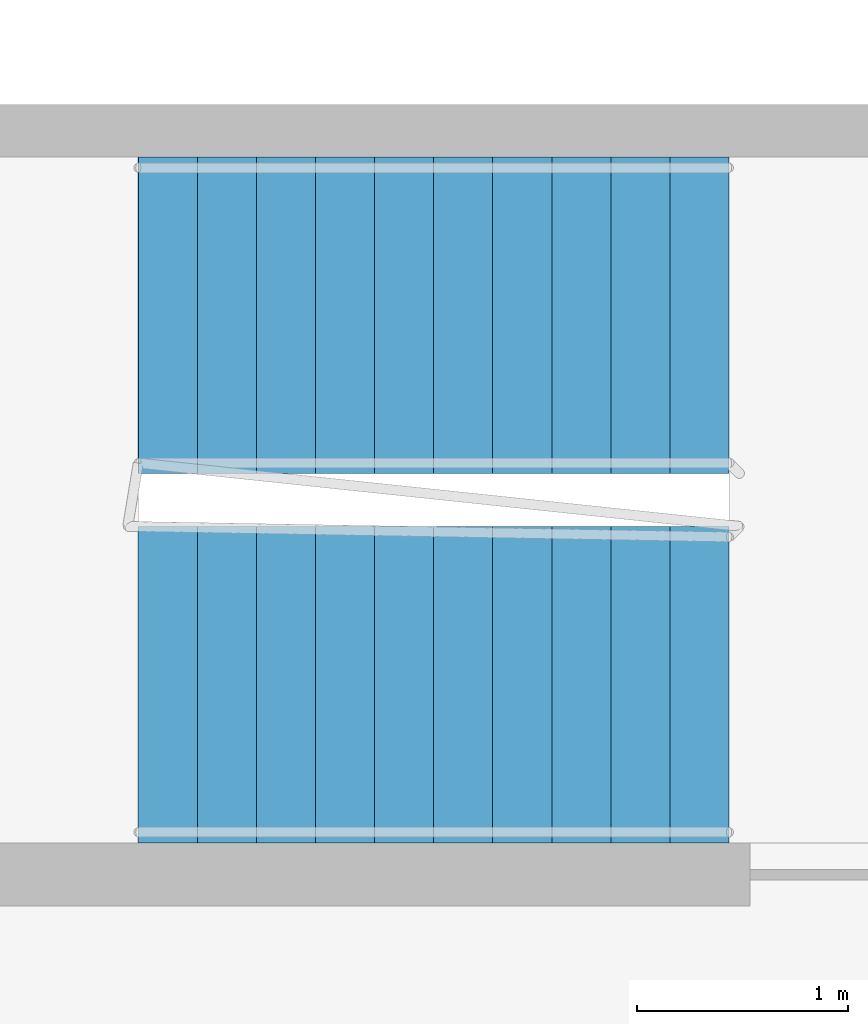
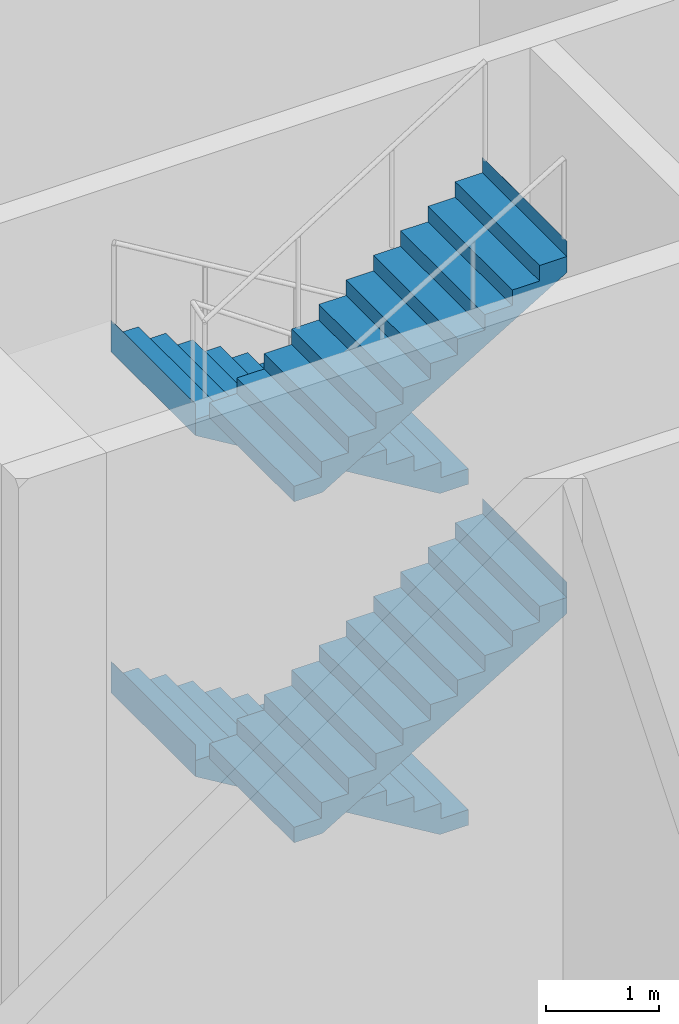
# One storey, part 17 of 25: 4 stair flights, 1 element without a shape of its own.
"""IFC4 building model written with IfcOpenShell, lengths in metres."""

from ifc_helpers import new_model, si_unit, direction, frame, origin, place, context, subcontext, project, spatial, faceted_brep, material, type_object, element, aggregate, save


model = new_model("IFC4")

# Units and contexts
model_context = context("Model", 3, precision=1e-05, world=origin(), true_north=direction((0.0, 1.0)))
body_context = subcontext(model_context, "Body", "Model", "MODEL_VIEW")
ifc_project = project(units=[si_unit("LENGTHUNIT", "METRE"), si_unit("AREAUNIT", "SQUARE_METRE"), si_unit("VOLUMEUNIT", "CUBIC_METRE"), si_unit("PLANEANGLEUNIT", "RADIAN"), si_unit("MASSUNIT", "GRAM", prefix="KILO")], contexts=[model_context])

# Site, building, storey
site_placement = place(None, origin())
site = spatial("IfcSite", under=ifc_project, at=site_placement, CompositionType="ELEMENT")
building_placement = place(site_placement, origin())
building = spatial("IfcBuilding", under=site, at=building_placement, Name="Kajstack Hotel Tower", CompositionType="ELEMENT")
storey_placement = place(building_placement, frame((0.0, 0.0, 155.0)))
storey = spatial("IfcBuildingStorey", under=building, at=storey_placement, Name="L36", CompositionType="ELEMENT", Elevation=155.0)

# Stair, stair flights
ifc_material = material(Name="Concrete C40/50", Category="concrete")
stair_type = type_object("IfcStairType", Name="Exit stair 1500", PredefinedType="HALF_TURN_STAIR", material=ifc_material)
stair_placement = place(storey_placement, origin())
stair = element("IfcStair", 1, at=stair_placement, inside=storey, type_object=stair_type, Name="L36 stair W3", PredefinedType="HALF_TURN_STAIR")
stair_flight_type = type_object("IfcStairFlightType", Name="Exit stair flight 1500", PredefinedType="STRAIGHT", material=ifc_material)
stair_flight_1_placement = place(storey_placement, frame((-25.699951171875, -12.699951171875, 0.0), z_axis=(0.0, 0.0, 1.0), x_axis=(-1.0, 0.0, 0.0)))
stair_flight_1 = element("IfcStairFlight", 2, at=stair_flight_1_placement, type_object=stair_flight_type, Name="W3 flight 1", NumberOfRisers=11, NumberOfTreads=10, PredefinedType="STRAIGHT", RiserHeight=0.168181818, TreadLength=0.28, context=body_context, shape_type="Brep", body=[
    faceted_brep([(0.291748046875, -0.75, 0.0), (2.800537109375, -0.75, 1.5068359375), (2.800537109375, -0.75, 1.85009765625), (2.800048828125, -0.75, 1.85009765625), (2.800048828125, -0.75, 1.681884765625), (2.52001953125, -0.75, 1.681884765625), (2.52001953125, -0.75, 1.513671875), (2.239990234375, -0.75, 1.513671875), (2.239990234375, -0.75, 1.345458984375), (1.9599609375, -0.75, 1.345458984375), (1.9599609375, -0.75, 1.17724609375), (1.679931640625, -0.75, 1.17724609375), (1.679931640625, -0.75, 1.009033203125), (1.39990234375, -0.75, 1.009033203125), (1.39990234375, -0.75, 0.8408203125), (1.1201171875, -0.75, 0.8408203125), (1.1201171875, -0.75, 0.672607421875), (0.840087890625, -0.75, 0.672607421875), (0.840087890625, -0.75, 0.504638671875), (0.56005859375, -0.75, 0.504638671875), (0.56005859375, -0.75, 0.33642578125), (0.280029296875, -0.75, 0.33642578125), (0.280029296875, -0.75, 0.168212890625), (-0.00048828125, -0.75, 0.168212890625), (-0.00048828125, -0.75, 0.0), (-0.00048828125, 0.75, 0.0), (-0.00048828125, 0.75, 0.168212890625), (0.280029296875, 0.75, 0.168212890625), (0.280029296875, 0.75, 0.33642578125), (0.56005859375, 0.75, 0.33642578125), (0.56005859375, 0.75, 0.504638671875), (0.840087890625, 0.75, 0.504638671875), (0.840087890625, 0.75, 0.672607421875), (1.1201171875, 0.75, 0.672607421875), (1.1201171875, 0.75, 0.8408203125), (1.39990234375, 0.75, 0.8408203125), (1.39990234375, 0.75, 1.009033203125), (1.679931640625, 0.75, 1.009033203125), (1.679931640625, 0.75, 1.17724609375), (1.9599609375, 0.75, 1.17724609375), (1.9599609375, 0.75, 1.345458984375), (2.239990234375, 0.75, 1.345458984375), (2.239990234375, 0.75, 1.513671875), (2.52001953125, 0.75, 1.513671875), (2.52001953125, 0.75, 1.681884765625), (2.800048828125, 0.75, 1.681884765625), (2.800048828125, 0.75, 1.85009765625), (2.800537109375, 0.75, 1.85009765625), (2.800537109375, 0.75, 1.5068359375), (0.291748046875, 0.75, 0.0), (-0.00048828125, -0.375, 0.168212890625), (-0.00048828125, 0.0, 0.168212890625), (-0.00048828125, 0.375, 0.168212890625), (-0.00048828125, 0.375, 0.0), (-0.00048828125, 0.0, 0.0), (-0.00048828125, -0.375, 0.0), (0.280029296875, -0.375, 0.168212890625), (0.280029296875, 0.0, 0.168212890625), (0.280029296875, 0.375, 0.168212890625), (0.280029296875, -0.375, 0.33642578125), (0.280029296875, 0.0, 0.33642578125), (0.280029296875, 0.375, 0.33642578125), (0.56005859375, -0.375, 0.33642578125), (0.56005859375, 0.0, 0.33642578125), (0.56005859375, 0.375, 0.33642578125), (0.56005859375, -0.375, 0.504638671875), (0.56005859375, 0.0, 0.504638671875), (0.56005859375, 0.375, 0.504638671875), (0.840087890625, -0.375, 0.504638671875), (0.840087890625, 0.0, 0.504638671875), (0.840087890625, 0.375, 0.504638671875), (0.840087890625, -0.375, 0.672607421875), (0.840087890625, 0.0, 0.672607421875), (0.840087890625, 0.375, 0.672607421875), (1.1201171875, -0.375, 0.672607421875), (1.1201171875, 0.0, 0.672607421875), (1.1201171875, 0.375, 0.672607421875), (1.1201171875, -0.375, 0.8408203125), (1.1201171875, 0.0, 0.8408203125), (1.1201171875, 0.375, 0.8408203125), (1.39990234375, -0.375, 0.8408203125), (1.39990234375, 0.0, 0.8408203125), (1.39990234375, 0.375, 0.8408203125), (1.39990234375, -0.375, 1.009033203125), (1.39990234375, 0.0, 1.009033203125), (1.39990234375, 0.375, 1.009033203125), (1.679931640625, -0.375, 1.009033203125), (1.679931640625, 0.0, 1.009033203125), (1.679931640625, 0.375, 1.009033203125), (1.679931640625, -0.375, 1.17724609375), (1.679931640625, 0.0, 1.17724609375), (1.679931640625, 0.375, 1.17724609375), (1.9599609375, -0.375, 1.17724609375), (1.9599609375, 0.0, 1.17724609375), (1.9599609375, 0.375, 1.17724609375), (1.9599609375, -0.375, 1.345458984375), (1.9599609375, 0.0, 1.345458984375), (1.9599609375, 0.375, 1.345458984375), (2.239990234375, -0.375, 1.345458984375), (2.239990234375, 0.0, 1.345458984375), (2.239990234375, 0.375, 1.345458984375), (2.239990234375, -0.375, 1.513671875), (2.239990234375, 0.0, 1.513671875), (2.239990234375, 0.375, 1.513671875), (2.52001953125, -0.375, 1.513671875), (2.52001953125, 0.0, 1.513671875), (2.52001953125, 0.375, 1.513671875), (2.52001953125, -0.375, 1.681884765625), (2.52001953125, 0.0, 1.681884765625), (2.52001953125, 0.375, 1.681884765625), (2.800048828125, -0.375, 1.681884765625), (2.800048828125, 0.0, 1.681884765625), (2.800048828125, 0.375, 1.681884765625), (2.800048828125, -0.375, 1.85009765625), (2.800048828125, 0.0, 1.85009765625), (2.800048828125, 0.375, 1.85009765625), (2.800537109375, -0.375, 1.85009765625), (2.800537109375, 0.0, 1.85009765625), (2.800537109375, 0.375, 1.85009765625), (2.800537109375, -0.375, 1.5068359375), (2.800537109375, 0.0, 1.5068359375), (2.800537109375, 0.375, 1.5068359375), (0.291748046875, -0.375, 0.0), (0.291748046875, 0.0, 0.0), (0.291748046875, 0.375, 0.0)], [[[0, 1, 2, 3, 4, 5, 6, 7, 8, 9, 10, 11, 12, 13, 14, 15, 16, 17, 18, 19, 20, 21, 22, 23, 24]], [[25, 26, 27, 28, 29, 30, 31, 32, 33, 34, 35, 36, 37, 38, 39, 40, 41, 42, 43, 44, 45, 46, 47, 48, 49]], [[23, 50, 51, 52, 26, 25, 53, 54, 55, 24]], [[22, 56, 57, 58, 27, 26, 52, 51, 50, 23]], [[21, 59, 60, 61, 28, 27, 58, 57, 56, 22]], [[20, 62, 63, 64, 29, 28, 61, 60, 59, 21]], [[19, 65, 66, 67, 30, 29, 64, 63, 62, 20]], [[18, 68, 69, 70, 31, 30, 67, 66, 65, 19]], [[17, 71, 72, 73, 32, 31, 70, 69, 68, 18]], [[16, 74, 75, 76, 33, 32, 73, 72, 71, 17]], [[15, 77, 78, 79, 34, 33, 76, 75, 74, 16]], [[14, 80, 81, 82, 35, 34, 79, 78, 77, 15]], [[13, 83, 84, 85, 36, 35, 82, 81, 80, 14]], [[12, 86, 87, 88, 37, 36, 85, 84, 83, 13]], [[11, 89, 90, 91, 38, 37, 88, 87, 86, 12]], [[10, 92, 93, 94, 39, 38, 91, 90, 89, 11]], [[9, 95, 96, 97, 40, 39, 94, 93, 92, 10]], [[8, 98, 99, 100, 41, 40, 97, 96, 95, 9]], [[7, 101, 102, 103, 42, 41, 100, 99, 98, 8]], [[6, 104, 105, 106, 43, 42, 103, 102, 101, 7]], [[5, 107, 108, 109, 44, 43, 106, 105, 104, 6]], [[4, 110, 111, 112, 45, 44, 109, 108, 107, 5]], [[3, 113, 114, 115, 46, 45, 112, 111, 110, 4]], [[2, 116, 117, 118, 47, 46, 115, 114, 113, 3]], [[1, 119, 120, 121, 48, 47, 118, 117, 116, 2]], [[0, 122, 123, 124, 49, 48, 121, 120, 119, 1]], [[24, 55, 54, 53, 25, 49, 124, 123, 122, 0]]]),
])
stair_flight_2_placement = place(storey_placement, frame((-28.5, -14.449951171875, 1.85009765625), z_axis=(0.0, 0.0, 1.0), x_axis=(1.0, 0.0, 0.0)))
stair_flight_2 = element("IfcStairFlight", 3, at=stair_flight_2_placement, type_object=stair_flight_type, Name="W3 flight 2", NumberOfRisers=11, NumberOfTreads=10, PredefinedType="STRAIGHT", RiserHeight=0.168181818, TreadLength=0.28, context=body_context, shape_type="Brep", body=[
    faceted_brep([(0.291748046875, -0.75, 0.0), (2.800537109375, -0.75, 1.5068359375), (2.800537109375, -0.75, 1.85009765625), (2.800048828125, -0.75, 1.85009765625), (2.800048828125, -0.75, 1.681884765625), (2.52001953125, -0.75, 1.681884765625), (2.52001953125, -0.75, 1.513671875), (2.239990234375, -0.75, 1.513671875), (2.239990234375, -0.75, 1.345458984375), (1.9599609375, -0.75, 1.345458984375), (1.9599609375, -0.75, 1.17724609375), (1.679931640625, -0.75, 1.17724609375), (1.679931640625, -0.75, 1.009033203125), (1.39990234375, -0.75, 1.009033203125), (1.39990234375, -0.75, 0.8408203125), (1.1201171875, -0.75, 0.8408203125), (1.1201171875, -0.75, 0.672607421875), (0.840087890625, -0.75, 0.672607421875), (0.840087890625, -0.75, 0.504638671875), (0.56005859375, -0.75, 0.504638671875), (0.56005859375, -0.75, 0.33642578125), (0.280029296875, -0.75, 0.33642578125), (0.280029296875, -0.75, 0.168212890625), (-0.00048828125, -0.75, 0.168212890625), (-0.00048828125, -0.75, 0.0), (-0.00048828125, 0.75, 0.0), (-0.00048828125, 0.75, 0.168212890625), (0.280029296875, 0.75, 0.168212890625), (0.280029296875, 0.75, 0.33642578125), (0.56005859375, 0.75, 0.33642578125), (0.56005859375, 0.75, 0.504638671875), (0.840087890625, 0.75, 0.504638671875), (0.840087890625, 0.75, 0.672607421875), (1.1201171875, 0.75, 0.672607421875), (1.1201171875, 0.75, 0.8408203125), (1.39990234375, 0.75, 0.8408203125), (1.39990234375, 0.75, 1.009033203125), (1.679931640625, 0.75, 1.009033203125), (1.679931640625, 0.75, 1.17724609375), (1.9599609375, 0.75, 1.17724609375), (1.9599609375, 0.75, 1.345458984375), (2.239990234375, 0.75, 1.345458984375), (2.239990234375, 0.75, 1.513671875), (2.52001953125, 0.75, 1.513671875), (2.52001953125, 0.75, 1.681884765625), (2.800048828125, 0.75, 1.681884765625), (2.800048828125, 0.75, 1.85009765625), (2.800537109375, 0.75, 1.85009765625), (2.800537109375, 0.75, 1.5068359375), (0.291748046875, 0.75, 0.0), (-0.00048828125, -0.375, 0.168212890625), (-0.00048828125, 0.0, 0.168212890625), (-0.00048828125, 0.375, 0.168212890625), (-0.00048828125, 0.375, 0.0), (-0.00048828125, 0.0, 0.0), (-0.00048828125, -0.375, 0.0), (0.280029296875, -0.375, 0.168212890625), (0.280029296875, 0.0, 0.168212890625), (0.280029296875, 0.375, 0.168212890625), (0.280029296875, -0.375, 0.33642578125), (0.280029296875, 0.0, 0.33642578125), (0.280029296875, 0.375, 0.33642578125), (0.56005859375, -0.375, 0.33642578125), (0.56005859375, 0.0, 0.33642578125), (0.56005859375, 0.375, 0.33642578125), (0.56005859375, -0.375, 0.504638671875), (0.56005859375, 0.0, 0.504638671875), (0.56005859375, 0.375, 0.504638671875), (0.840087890625, -0.375, 0.504638671875), (0.840087890625, 0.0, 0.504638671875), (0.840087890625, 0.375, 0.504638671875), (0.840087890625, -0.375, 0.672607421875), (0.840087890625, 0.0, 0.672607421875), (0.840087890625, 0.375, 0.672607421875), (1.1201171875, -0.375, 0.672607421875), (1.1201171875, 0.0, 0.672607421875), (1.1201171875, 0.375, 0.672607421875), (1.1201171875, -0.375, 0.8408203125), (1.1201171875, 0.0, 0.8408203125), (1.1201171875, 0.375, 0.8408203125), (1.39990234375, -0.375, 0.8408203125), (1.39990234375, 0.0, 0.8408203125), (1.39990234375, 0.375, 0.8408203125), (1.39990234375, -0.375, 1.009033203125), (1.39990234375, 0.0, 1.009033203125), (1.39990234375, 0.375, 1.009033203125), (1.679931640625, -0.375, 1.009033203125), (1.679931640625, 0.0, 1.009033203125), (1.679931640625, 0.375, 1.009033203125), (1.679931640625, -0.375, 1.17724609375), (1.679931640625, 0.0, 1.17724609375), (1.679931640625, 0.375, 1.17724609375), (1.9599609375, -0.375, 1.17724609375), (1.9599609375, 0.0, 1.17724609375), (1.9599609375, 0.375, 1.17724609375), (1.9599609375, -0.375, 1.345458984375), (1.9599609375, 0.0, 1.345458984375), (1.9599609375, 0.375, 1.345458984375), (2.239990234375, -0.375, 1.345458984375), (2.239990234375, 0.0, 1.345458984375), (2.239990234375, 0.375, 1.345458984375), (2.239990234375, -0.375, 1.513671875), (2.239990234375, 0.0, 1.513671875), (2.239990234375, 0.375, 1.513671875), (2.52001953125, -0.375, 1.513671875), (2.52001953125, 0.0, 1.513671875), (2.52001953125, 0.375, 1.513671875), (2.52001953125, -0.375, 1.681884765625), (2.52001953125, 0.0, 1.681884765625), (2.52001953125, 0.375, 1.681884765625), (2.800048828125, -0.375, 1.681884765625), (2.800048828125, 0.0, 1.681884765625), (2.800048828125, 0.375, 1.681884765625), (2.800048828125, -0.375, 1.85009765625), (2.800048828125, 0.0, 1.85009765625), (2.800048828125, 0.375, 1.85009765625), (2.800537109375, -0.375, 1.85009765625), (2.800537109375, 0.0, 1.85009765625), (2.800537109375, 0.375, 1.85009765625), (2.800537109375, -0.375, 1.5068359375), (2.800537109375, 0.0, 1.5068359375), (2.800537109375, 0.375, 1.5068359375), (0.291748046875, -0.375, 0.0), (0.291748046875, 0.0, 0.0), (0.291748046875, 0.375, 0.0)], [[[0, 1, 2, 3, 4, 5, 6, 7, 8, 9, 10, 11, 12, 13, 14, 15, 16, 17, 18, 19, 20, 21, 22, 23, 24]], [[25, 26, 27, 28, 29, 30, 31, 32, 33, 34, 35, 36, 37, 38, 39, 40, 41, 42, 43, 44, 45, 46, 47, 48, 49]], [[23, 50, 51, 52, 26, 25, 53, 54, 55, 24]], [[22, 56, 57, 58, 27, 26, 52, 51, 50, 23]], [[21, 59, 60, 61, 28, 27, 58, 57, 56, 22]], [[20, 62, 63, 64, 29, 28, 61, 60, 59, 21]], [[19, 65, 66, 67, 30, 29, 64, 63, 62, 20]], [[18, 68, 69, 70, 31, 30, 67, 66, 65, 19]], [[17, 71, 72, 73, 32, 31, 70, 69, 68, 18]], [[16, 74, 75, 76, 33, 32, 73, 72, 71, 17]], [[15, 77, 78, 79, 34, 33, 76, 75, 74, 16]], [[14, 80, 81, 82, 35, 34, 79, 78, 77, 15]], [[13, 83, 84, 85, 36, 35, 82, 81, 80, 14]], [[12, 86, 87, 88, 37, 36, 85, 84, 83, 13]], [[11, 89, 90, 91, 38, 37, 88, 87, 86, 12]], [[10, 92, 93, 94, 39, 38, 91, 90, 89, 11]], [[9, 95, 96, 97, 40, 39, 94, 93, 92, 10]], [[8, 98, 99, 100, 41, 40, 97, 96, 95, 9]], [[7, 101, 102, 103, 42, 41, 100, 99, 98, 8]], [[6, 104, 105, 106, 43, 42, 103, 102, 101, 7]], [[5, 107, 108, 109, 44, 43, 106, 105, 104, 6]], [[4, 110, 111, 112, 45, 44, 109, 108, 107, 5]], [[3, 113, 114, 115, 46, 45, 112, 111, 110, 4]], [[2, 116, 117, 118, 47, 46, 115, 114, 113, 3]], [[1, 119, 120, 121, 48, 47, 118, 117, 116, 2]], [[0, 122, 123, 124, 49, 48, 121, 120, 119, 1]], [[24, 55, 54, 53, 25, 49, 124, 123, 122, 0]]]),
])
stair_flight_3_placement = place(storey_placement, frame((-25.699951171875, -12.699951171875, 3.699951171875), z_axis=(0.0, 0.0, 1.0), x_axis=(-1.0, 0.0, 0.0)))
stair_flight_3 = element("IfcStairFlight", 4, at=stair_flight_3_placement, type_object=stair_flight_type, Name="W3 flight 3", NumberOfRisers=11, NumberOfTreads=10, PredefinedType="STRAIGHT", RiserHeight=0.168181818, TreadLength=0.28, context=body_context, shape_type="Brep", body=[
    faceted_brep([(0.291748046875, -0.75, 0.0), (2.800537109375, -0.75, 1.5068359375), (2.800537109375, -0.75, 1.85009765625), (2.800048828125, -0.75, 1.85009765625), (2.800048828125, -0.75, 1.681884765625), (2.52001953125, -0.75, 1.681884765625), (2.52001953125, -0.75, 1.513671875), (2.239990234375, -0.75, 1.513671875), (2.239990234375, -0.75, 1.345458984375), (1.9599609375, -0.75, 1.345458984375), (1.9599609375, -0.75, 1.17724609375), (1.679931640625, -0.75, 1.17724609375), (1.679931640625, -0.75, 1.009033203125), (1.39990234375, -0.75, 1.009033203125), (1.39990234375, -0.75, 0.8408203125), (1.1201171875, -0.75, 0.8408203125), (1.1201171875, -0.75, 0.672607421875), (0.840087890625, -0.75, 0.672607421875), (0.840087890625, -0.75, 0.504638671875), (0.56005859375, -0.75, 0.504638671875), (0.56005859375, -0.75, 0.33642578125), (0.280029296875, -0.75, 0.33642578125), (0.280029296875, -0.75, 0.168212890625), (-0.00048828125, -0.75, 0.168212890625), (-0.00048828125, -0.75, 0.0), (-0.00048828125, 0.75, 0.0), (-0.00048828125, 0.75, 0.168212890625), (0.280029296875, 0.75, 0.168212890625), (0.280029296875, 0.75, 0.33642578125), (0.56005859375, 0.75, 0.33642578125), (0.56005859375, 0.75, 0.504638671875), (0.840087890625, 0.75, 0.504638671875), (0.840087890625, 0.75, 0.672607421875), (1.1201171875, 0.75, 0.672607421875), (1.1201171875, 0.75, 0.8408203125), (1.39990234375, 0.75, 0.8408203125), (1.39990234375, 0.75, 1.009033203125), (1.679931640625, 0.75, 1.009033203125), (1.679931640625, 0.75, 1.17724609375), (1.9599609375, 0.75, 1.17724609375), (1.9599609375, 0.75, 1.345458984375), (2.239990234375, 0.75, 1.345458984375), (2.239990234375, 0.75, 1.513671875), (2.52001953125, 0.75, 1.513671875), (2.52001953125, 0.75, 1.681884765625), (2.800048828125, 0.75, 1.681884765625), (2.800048828125, 0.75, 1.85009765625), (2.800537109375, 0.75, 1.85009765625), (2.800537109375, 0.75, 1.5068359375), (0.291748046875, 0.75, 0.0), (-0.00048828125, -0.375, 0.168212890625), (-0.00048828125, 0.0, 0.168212890625), (-0.00048828125, 0.375, 0.168212890625), (-0.00048828125, 0.375, 0.0), (-0.00048828125, 0.0, 0.0), (-0.00048828125, -0.375, 0.0), (0.280029296875, -0.375, 0.168212890625), (0.280029296875, 0.0, 0.168212890625), (0.280029296875, 0.375, 0.168212890625), (0.280029296875, -0.375, 0.33642578125), (0.280029296875, 0.0, 0.33642578125), (0.280029296875, 0.375, 0.33642578125), (0.56005859375, -0.375, 0.33642578125), (0.56005859375, 0.0, 0.33642578125), (0.56005859375, 0.375, 0.33642578125), (0.56005859375, -0.375, 0.504638671875), (0.56005859375, 0.0, 0.504638671875), (0.56005859375, 0.375, 0.504638671875), (0.840087890625, -0.375, 0.504638671875), (0.840087890625, 0.0, 0.504638671875), (0.840087890625, 0.375, 0.504638671875), (0.840087890625, -0.375, 0.672607421875), (0.840087890625, 0.0, 0.672607421875), (0.840087890625, 0.375, 0.672607421875), (1.1201171875, -0.375, 0.672607421875), (1.1201171875, 0.0, 0.672607421875), (1.1201171875, 0.375, 0.672607421875), (1.1201171875, -0.375, 0.8408203125), (1.1201171875, 0.0, 0.8408203125), (1.1201171875, 0.375, 0.8408203125), (1.39990234375, -0.375, 0.8408203125), (1.39990234375, 0.0, 0.8408203125), (1.39990234375, 0.375, 0.8408203125), (1.39990234375, -0.375, 1.009033203125), (1.39990234375, 0.0, 1.009033203125), (1.39990234375, 0.375, 1.009033203125), (1.679931640625, -0.375, 1.009033203125), (1.679931640625, 0.0, 1.009033203125), (1.679931640625, 0.375, 1.009033203125), (1.679931640625, -0.375, 1.17724609375), (1.679931640625, 0.0, 1.17724609375), (1.679931640625, 0.375, 1.17724609375), (1.9599609375, -0.375, 1.17724609375), (1.9599609375, 0.0, 1.17724609375), (1.9599609375, 0.375, 1.17724609375), (1.9599609375, -0.375, 1.345458984375), (1.9599609375, 0.0, 1.345458984375), (1.9599609375, 0.375, 1.345458984375), (2.239990234375, -0.375, 1.345458984375), (2.239990234375, 0.0, 1.345458984375), (2.239990234375, 0.375, 1.345458984375), (2.239990234375, -0.375, 1.513671875), (2.239990234375, 0.0, 1.513671875), (2.239990234375, 0.375, 1.513671875), (2.52001953125, -0.375, 1.513671875), (2.52001953125, 0.0, 1.513671875), (2.52001953125, 0.375, 1.513671875), (2.52001953125, -0.375, 1.681884765625), (2.52001953125, 0.0, 1.681884765625), (2.52001953125, 0.375, 1.681884765625), (2.800048828125, -0.375, 1.681884765625), (2.800048828125, 0.0, 1.681884765625), (2.800048828125, 0.375, 1.681884765625), (2.800048828125, -0.375, 1.85009765625), (2.800048828125, 0.0, 1.85009765625), (2.800048828125, 0.375, 1.85009765625), (2.800537109375, -0.375, 1.85009765625), (2.800537109375, 0.0, 1.85009765625), (2.800537109375, 0.375, 1.85009765625), (2.800537109375, -0.375, 1.5068359375), (2.800537109375, 0.0, 1.5068359375), (2.800537109375, 0.375, 1.5068359375), (0.291748046875, -0.375, 0.0), (0.291748046875, 0.0, 0.0), (0.291748046875, 0.375, 0.0)], [[[0, 1, 2, 3, 4, 5, 6, 7, 8, 9, 10, 11, 12, 13, 14, 15, 16, 17, 18, 19, 20, 21, 22, 23, 24]], [[25, 26, 27, 28, 29, 30, 31, 32, 33, 34, 35, 36, 37, 38, 39, 40, 41, 42, 43, 44, 45, 46, 47, 48, 49]], [[23, 50, 51, 52, 26, 25, 53, 54, 55, 24]], [[22, 56, 57, 58, 27, 26, 52, 51, 50, 23]], [[21, 59, 60, 61, 28, 27, 58, 57, 56, 22]], [[20, 62, 63, 64, 29, 28, 61, 60, 59, 21]], [[19, 65, 66, 67, 30, 29, 64, 63, 62, 20]], [[18, 68, 69, 70, 31, 30, 67, 66, 65, 19]], [[17, 71, 72, 73, 32, 31, 70, 69, 68, 18]], [[16, 74, 75, 76, 33, 32, 73, 72, 71, 17]], [[15, 77, 78, 79, 34, 33, 76, 75, 74, 16]], [[14, 80, 81, 82, 35, 34, 79, 78, 77, 15]], [[13, 83, 84, 85, 36, 35, 82, 81, 80, 14]], [[12, 86, 87, 88, 37, 36, 85, 84, 83, 13]], [[11, 89, 90, 91, 38, 37, 88, 87, 86, 12]], [[10, 92, 93, 94, 39, 38, 91, 90, 89, 11]], [[9, 95, 96, 97, 40, 39, 94, 93, 92, 10]], [[8, 98, 99, 100, 41, 40, 97, 96, 95, 9]], [[7, 101, 102, 103, 42, 41, 100, 99, 98, 8]], [[6, 104, 105, 106, 43, 42, 103, 102, 101, 7]], [[5, 107, 108, 109, 44, 43, 106, 105, 104, 6]], [[4, 110, 111, 112, 45, 44, 109, 108, 107, 5]], [[3, 113, 114, 115, 46, 45, 112, 111, 110, 4]], [[2, 116, 117, 118, 47, 46, 115, 114, 113, 3]], [[1, 119, 120, 121, 48, 47, 118, 117, 116, 2]], [[0, 122, 123, 124, 49, 48, 121, 120, 119, 1]], [[24, 55, 54, 53, 25, 49, 124, 123, 122, 0]]]),
])
stair_flight_4_placement = place(storey_placement, frame((-28.5, -14.449951171875, 5.550048828125), z_axis=(0.0, 0.0, 1.0), x_axis=(1.0, 0.0, 0.0)))
stair_flight_4 = element("IfcStairFlight", 5, at=stair_flight_4_placement, type_object=stair_flight_type, Name="W3 flight 4", NumberOfRisers=11, NumberOfTreads=10, PredefinedType="STRAIGHT", RiserHeight=0.168181818, TreadLength=0.28, context=body_context, shape_type="Brep", body=[
    faceted_brep([(0.291748046875, -0.75, 0.0), (2.800537109375, -0.75, 1.5068359375), (2.800537109375, -0.75, 1.85009765625), (2.800048828125, -0.75, 1.85009765625), (2.800048828125, -0.75, 1.681884765625), (2.52001953125, -0.75, 1.681884765625), (2.52001953125, -0.75, 1.513671875), (2.239990234375, -0.75, 1.513671875), (2.239990234375, -0.75, 1.345458984375), (1.9599609375, -0.75, 1.345458984375), (1.9599609375, -0.75, 1.17724609375), (1.679931640625, -0.75, 1.17724609375), (1.679931640625, -0.75, 1.009033203125), (1.39990234375, -0.75, 1.009033203125), (1.39990234375, -0.75, 0.8408203125), (1.1201171875, -0.75, 0.8408203125), (1.1201171875, -0.75, 0.672607421875), (0.840087890625, -0.75, 0.672607421875), (0.840087890625, -0.75, 0.504638671875), (0.56005859375, -0.75, 0.504638671875), (0.56005859375, -0.75, 0.33642578125), (0.280029296875, -0.75, 0.33642578125), (0.280029296875, -0.75, 0.168212890625), (-0.00048828125, -0.75, 0.168212890625), (-0.00048828125, -0.75, 0.0), (-0.00048828125, 0.75, 0.0), (-0.00048828125, 0.75, 0.168212890625), (0.280029296875, 0.75, 0.168212890625), (0.280029296875, 0.75, 0.33642578125), (0.56005859375, 0.75, 0.33642578125), (0.56005859375, 0.75, 0.504638671875), (0.840087890625, 0.75, 0.504638671875), (0.840087890625, 0.75, 0.672607421875), (1.1201171875, 0.75, 0.672607421875), (1.1201171875, 0.75, 0.8408203125), (1.39990234375, 0.75, 0.8408203125), (1.39990234375, 0.75, 1.009033203125), (1.679931640625, 0.75, 1.009033203125), (1.679931640625, 0.75, 1.17724609375), (1.9599609375, 0.75, 1.17724609375), (1.9599609375, 0.75, 1.345458984375), (2.239990234375, 0.75, 1.345458984375), (2.239990234375, 0.75, 1.513671875), (2.52001953125, 0.75, 1.513671875), (2.52001953125, 0.75, 1.681884765625), (2.800048828125, 0.75, 1.681884765625), (2.800048828125, 0.75, 1.85009765625), (2.800537109375, 0.75, 1.85009765625), (2.800537109375, 0.75, 1.5068359375), (0.291748046875, 0.75, 0.0), (-0.00048828125, -0.375, 0.168212890625), (-0.00048828125, 0.0, 0.168212890625), (-0.00048828125, 0.375, 0.168212890625), (-0.00048828125, 0.375, 0.0), (-0.00048828125, 0.0, 0.0), (-0.00048828125, -0.375, 0.0), (0.280029296875, -0.375, 0.168212890625), (0.280029296875, 0.0, 0.168212890625), (0.280029296875, 0.375, 0.168212890625), (0.280029296875, -0.375, 0.33642578125), (0.280029296875, 0.0, 0.33642578125), (0.280029296875, 0.375, 0.33642578125), (0.56005859375, -0.375, 0.33642578125), (0.56005859375, 0.0, 0.33642578125), (0.56005859375, 0.375, 0.33642578125), (0.56005859375, -0.375, 0.504638671875), (0.56005859375, 0.0, 0.504638671875), (0.56005859375, 0.375, 0.504638671875), (0.840087890625, -0.375, 0.504638671875), (0.840087890625, 0.0, 0.504638671875), (0.840087890625, 0.375, 0.504638671875), (0.840087890625, -0.375, 0.672607421875), (0.840087890625, 0.0, 0.672607421875), (0.840087890625, 0.375, 0.672607421875), (1.1201171875, -0.375, 0.672607421875), (1.1201171875, 0.0, 0.672607421875), (1.1201171875, 0.375, 0.672607421875), (1.1201171875, -0.375, 0.8408203125), (1.1201171875, 0.0, 0.8408203125), (1.1201171875, 0.375, 0.8408203125), (1.39990234375, -0.375, 0.8408203125), (1.39990234375, 0.0, 0.8408203125), (1.39990234375, 0.375, 0.8408203125), (1.39990234375, -0.375, 1.009033203125), (1.39990234375, 0.0, 1.009033203125), (1.39990234375, 0.375, 1.009033203125), (1.679931640625, -0.375, 1.009033203125), (1.679931640625, 0.0, 1.009033203125), (1.679931640625, 0.375, 1.009033203125), (1.679931640625, -0.375, 1.17724609375), (1.679931640625, 0.0, 1.17724609375), (1.679931640625, 0.375, 1.17724609375), (1.9599609375, -0.375, 1.17724609375), (1.9599609375, 0.0, 1.17724609375), (1.9599609375, 0.375, 1.17724609375), (1.9599609375, -0.375, 1.345458984375), (1.9599609375, 0.0, 1.345458984375), (1.9599609375, 0.375, 1.345458984375), (2.239990234375, -0.375, 1.345458984375), (2.239990234375, 0.0, 1.345458984375), (2.239990234375, 0.375, 1.345458984375), (2.239990234375, -0.375, 1.513671875), (2.239990234375, 0.0, 1.513671875), (2.239990234375, 0.375, 1.513671875), (2.52001953125, -0.375, 1.513671875), (2.52001953125, 0.0, 1.513671875), (2.52001953125, 0.375, 1.513671875), (2.52001953125, -0.375, 1.681884765625), (2.52001953125, 0.0, 1.681884765625), (2.52001953125, 0.375, 1.681884765625), (2.800048828125, -0.375, 1.681884765625), (2.800048828125, 0.0, 1.681884765625), (2.800048828125, 0.375, 1.681884765625), (2.800048828125, -0.375, 1.85009765625), (2.800048828125, 0.0, 1.85009765625), (2.800048828125, 0.375, 1.85009765625), (2.800537109375, -0.375, 1.85009765625), (2.800537109375, 0.0, 1.85009765625), (2.800537109375, 0.375, 1.85009765625), (2.800537109375, -0.375, 1.5068359375), (2.800537109375, 0.0, 1.5068359375), (2.800537109375, 0.375, 1.5068359375), (0.291748046875, -0.375, 0.0), (0.291748046875, 0.0, 0.0), (0.291748046875, 0.375, 0.0)], [[[0, 1, 2, 3, 4, 5, 6, 7, 8, 9, 10, 11, 12, 13, 14, 15, 16, 17, 18, 19, 20, 21, 22, 23, 24]], [[25, 26, 27, 28, 29, 30, 31, 32, 33, 34, 35, 36, 37, 38, 39, 40, 41, 42, 43, 44, 45, 46, 47, 48, 49]], [[23, 50, 51, 52, 26, 25, 53, 54, 55, 24]], [[22, 56, 57, 58, 27, 26, 52, 51, 50, 23]], [[21, 59, 60, 61, 28, 27, 58, 57, 56, 22]], [[20, 62, 63, 64, 29, 28, 61, 60, 59, 21]], [[19, 65, 66, 67, 30, 29, 64, 63, 62, 20]], [[18, 68, 69, 70, 31, 30, 67, 66, 65, 19]], [[17, 71, 72, 73, 32, 31, 70, 69, 68, 18]], [[16, 74, 75, 76, 33, 32, 73, 72, 71, 17]], [[15, 77, 78, 79, 34, 33, 76, 75, 74, 16]], [[14, 80, 81, 82, 35, 34, 79, 78, 77, 15]], [[13, 83, 84, 85, 36, 35, 82, 81, 80, 14]], [[12, 86, 87, 88, 37, 36, 85, 84, 83, 13]], [[11, 89, 90, 91, 38, 37, 88, 87, 86, 12]], [[10, 92, 93, 94, 39, 38, 91, 90, 89, 11]], [[9, 95, 96, 97, 40, 39, 94, 93, 92, 10]], [[8, 98, 99, 100, 41, 40, 97, 96, 95, 9]], [[7, 101, 102, 103, 42, 41, 100, 99, 98, 8]], [[6, 104, 105, 106, 43, 42, 103, 102, 101, 7]], [[5, 107, 108, 109, 44, 43, 106, 105, 104, 6]], [[4, 110, 111, 112, 45, 44, 109, 108, 107, 5]], [[3, 113, 114, 115, 46, 45, 112, 111, 110, 4]], [[2, 116, 117, 118, 47, 46, 115, 114, 113, 3]], [[1, 119, 120, 121, 48, 47, 118, 117, 116, 2]], [[0, 122, 123, 124, 49, 48, 121, 120, 119, 1]], [[24, 55, 54, 53, 25, 49, 124, 123, 122, 0]]]),
])
aggregate(stair, [stair_flight_1, stair_flight_2, stair_flight_3, stair_flight_4])

save(model, "model.ifc")
